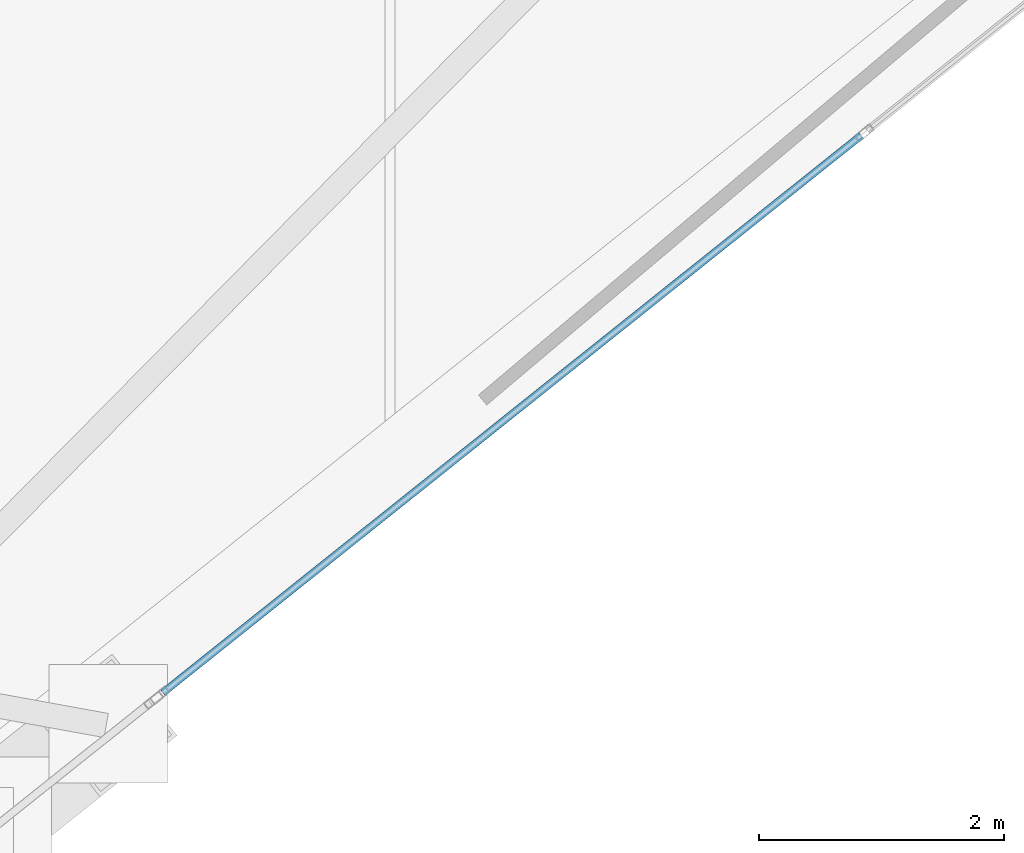
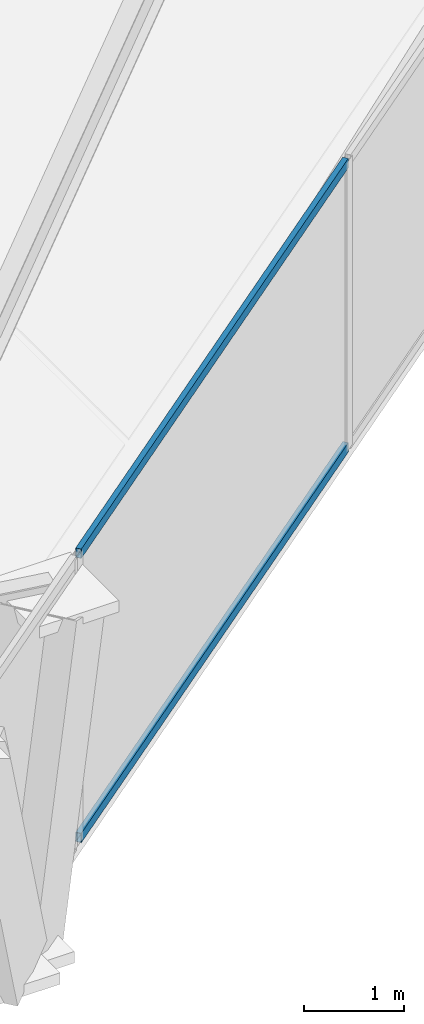
# One storey, part 6 of 22: 2 members, 1 element without a shape of its own.
"""IFC4 building model written with IfcOpenShell, lengths in metres."""

from ifc_helpers import new_model, si_unit, direction, frame, origin, origin_2d, place, context, subcontext, project, spatial, hollow_rectangle, extrude, material, layer, layer_set, material_profile, profile_set, type_object, element, aggregate, save


model = new_model("IFC4")

# Units and contexts
model_context = context("Model", 3, precision=1e-05, world=origin(), true_north=direction((0.0, 1.0)))
body_context = subcontext(model_context, "Body", "Model", "MODEL_VIEW")
ifc_project = project(units=[si_unit("LENGTHUNIT", "METRE"), si_unit("AREAUNIT", "SQUARE_METRE"), si_unit("VOLUMEUNIT", "CUBIC_METRE"), si_unit("PLANEANGLEUNIT", "RADIAN"), si_unit("MASSUNIT", "GRAM", prefix="KILO")], contexts=[model_context])

# Site, building, storey
site_placement = place(None, origin())
site = spatial("IfcSite", under=ifc_project, at=site_placement, CompositionType="ELEMENT")
building_placement = place(site_placement, origin())
building = spatial("IfcBuilding", under=site, at=building_placement, Name="Qianvela Tower", CompositionType="ELEMENT")
storey_placement = place(building_placement, frame((0.0, 0.0, 207.699951171875)))
storey = spatial("IfcBuildingStorey", under=building, at=storey_placement, Name="L53", CompositionType="ELEMENT", Elevation=207.699951171875)

# Curtain wall, members
ifc_material_1 = material(Name="Anodised Architectural Aluminium and Low-E Glass", Category="aluminium")
ifc_layer = layer(ifc_material_1, 0.159912109375)
ifc_layer_set = layer_set([ifc_layer], Name="Anodised Architectural Aluminium and Low-E Glass")
curtain_wall_type = type_object("IfcCurtainWallType", Name="CW-COLIV-Z56", PredefinedType="USERDEFINED", material=ifc_layer_set)
curtain_wall_placement = place(storey_placement, origin())
curtain_wall = element("IfcCurtainWall", 1, at=curtain_wall_placement, inside=storey, type_object=curtain_wall_type, Name="L53 CW-COLIV-Z56 Curtain Wall 06C", ObjectType="CURTAIN_WALL_SYSTEM", PredefinedType="USERDEFINED")
ifc_material_2 = material(Name="Anodised Architectural Aluminium 6063-T6", Category="aluminium")
ifc_material_profile = material_profile(ifc_material_2, hollow_rectangle(XDim=0.06005859375, YDim=0.114990234375, WallThickness=0.00390625, at=origin_2d()), Name="ALU-TRAN-60x115")
ifc_profile_set = profile_set([ifc_material_profile], Name="Anodised Architectural Aluminium 6063-T6")
member_type = type_object("IfcMemberType", Name="CW-COLIV-Z56-TRAN", PredefinedType="USERDEFINED", material=ifc_profile_set)
member_1_placement = place(storey_placement, frame((47.211669921875, 18.77197265625, 0.030029296875), z_axis=(0.781589716738, 0.623792845975, 0.0), x_axis=(-0.623792845975, 0.781589716738, 0.0)))
member_1 = element("IfcMember", 2, at=member_1_placement, type_object=member_type, Name="CW-5 transom 1.1", ObjectType="TRANSOM", PredefinedType="USERDEFINED", context=body_context, shape_type="SweptSolid", body=[
    extrude(hollow_rectangle(XDim=0.06005859375, YDim=0.114990234375, WallThickness=0.00390625, at=origin_2d()), origin(), (0.0, 0.0, 1.0), 7.296630859375),
])
member_2_placement = place(storey_placement, frame((47.211669921875, 18.77197265625, 3.489990234375), z_axis=(0.781589716738, 0.623792845975, 0.0), x_axis=(-0.623792845975, 0.781589716738, 0.0)))
member_2 = element("IfcMember", 3, at=member_2_placement, type_object=member_type, Name="CW-5 transom 1.2", ObjectType="TRANSOM", PredefinedType="USERDEFINED", context=body_context, shape_type="SweptSolid", body=[
    extrude(hollow_rectangle(XDim=0.06005859375, YDim=0.114990234375, WallThickness=0.00390625, at=origin_2d()), origin(), (0.0, 0.0, 1.0), 7.296630859375),
])
aggregate(curtain_wall, [member_1, member_2])

save(model, "model.ifc")
